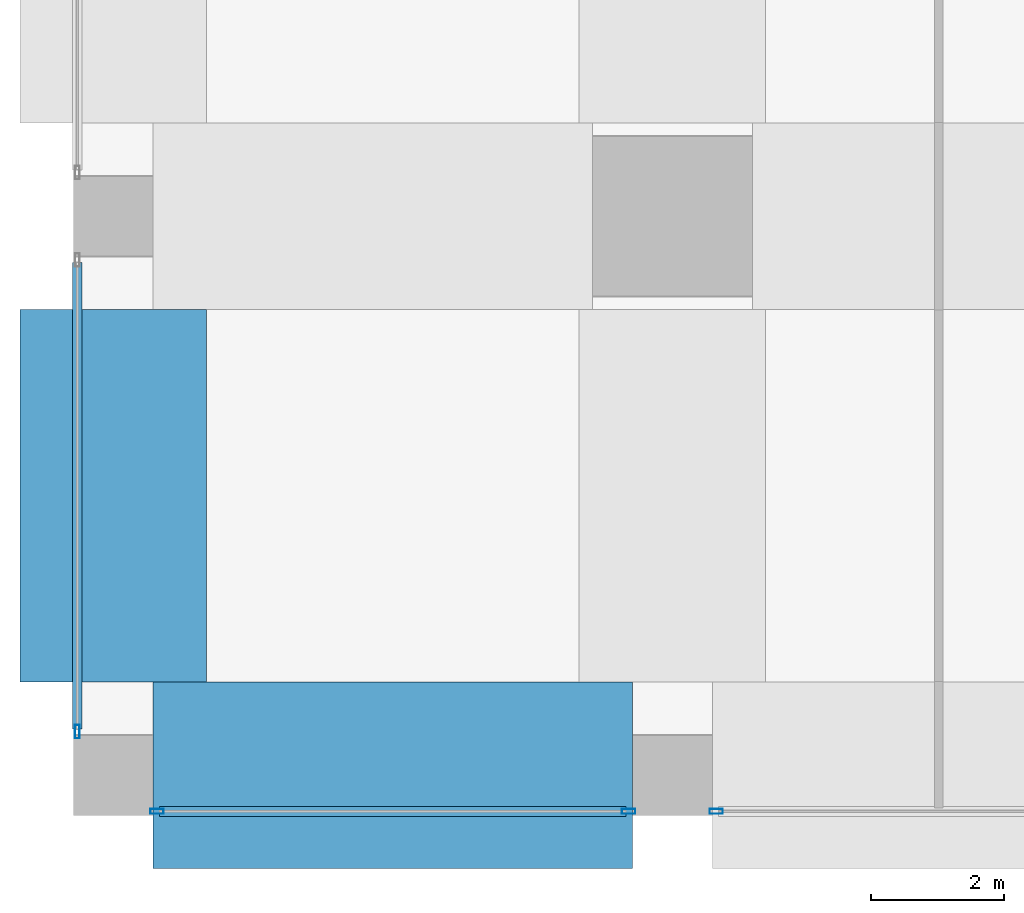
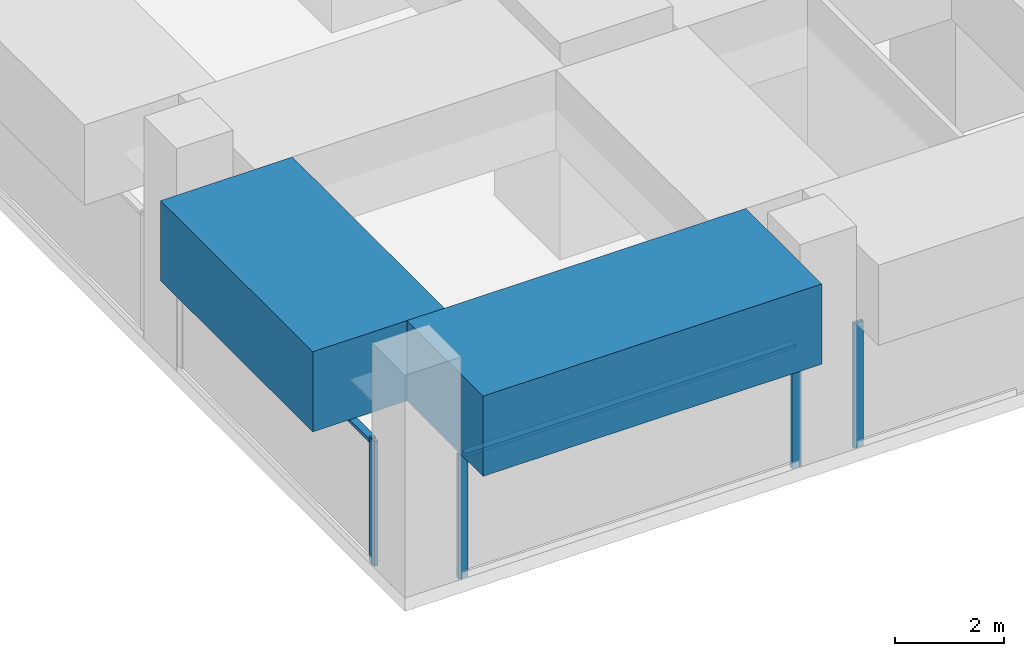
# One storey, part 3 of 52: 6 members, 2 beams, 3 elements without a shape of their own.
"""IFC4 building model written with IfcOpenShell, lengths in metres."""

from ifc_helpers import new_model, si_unit, direction, frame, origin, origin_2d, place, context, subcontext, project, spatial, rectangle, hollow_rectangle, extrude, material, material_profile, profile_set, type_object, element, aggregate, save


model = new_model("IFC4")

# Units and contexts
model_context = context("Model", 3, precision=1e-05, world=origin(), true_north=direction((0.0, 1.0)))
body_context = subcontext(model_context, "Body", "Model", "MODEL_VIEW")
ifc_project = project(units=[si_unit("LENGTHUNIT", "METRE"), si_unit("AREAUNIT", "SQUARE_METRE"), si_unit("VOLUMEUNIT", "CUBIC_METRE"), si_unit("PLANEANGLEUNIT", "RADIAN"), si_unit("MASSUNIT", "GRAM", prefix="KILO")], contexts=[model_context])

# Site, building, storey
site_placement = place(None, origin())
site = spatial("IfcSite", under=ifc_project, at=site_placement, CompositionType="ELEMENT")
building_placement = place(site_placement, origin())
building = spatial("IfcBuilding", under=site, at=building_placement, Name="Rekha Terrace Tower", CompositionType="ELEMENT")
storey_placement = place(building_placement, frame((0.0, 0.0, 20.39990234375)))
storey = spatial("IfcBuildingStorey", under=building, at=storey_placement, Name="L04", CompositionType="ELEMENT", Elevation=20.39990234375)

# Curtain wall, members
ifc_material_1 = material(Name="Aluminium framing", Category="aluminium")
curtain_wall_type = type_object("IfcCurtainWallType", Name="CW4 podium shopfront glazing", PredefinedType="USERDEFINED", material=ifc_material_1)
curtain_wall_1_placement = place(storey_placement, origin())
curtain_wall_1 = element("IfcCurtainWall", 1, at=curtain_wall_1_placement, inside=storey, type_object=curtain_wall_type, Name="CW4 shopfront curtain wall", ObjectType="SHOPFRONT CURTAIN WALL", PredefinedType="USERDEFINED")
ifc_material_2 = material(Name="Aluminium mullion section", Category="aluminium")
ifc_material_profile_1 = material_profile(ifc_material_2, hollow_rectangle(XDim=0.074951171875, YDim=0.199951171875, WallThickness=0.00390625, at=origin_2d()), Name="AL RHS 75x200")
ifc_profile_set_1 = profile_set([ifc_material_profile_1], Name="Aluminium mullion section")
member_type_1 = type_object("IfcMemberType", Name="CW4 mullion RHS 75 x 200", PredefinedType="MULLION", material=ifc_profile_set_1)
member_1_placement = place(storey_placement, frame((0.657470703125, -0.5400390625, 0.0), z_axis=(0.0, 0.0, 1.0), x_axis=(0.0, 1.0, 0.0)))
member_1 = element("IfcMember", 2, at=member_1_placement, type_object=member_type_1, Name="CW4 mullion 1", PredefinedType="MULLION", context=body_context, shape_type="SweptSolid", body=[
    extrude(hollow_rectangle(XDim=0.074951171875, YDim=0.199951171875, WallThickness=0.00390625, at=origin_2d()), origin(), (0.0, 0.0, 1.0), 2.800048828125),
])
member_2_placement = place(storey_placement, frame((7.742431640625, -0.5400390625, 0.0), z_axis=(0.0, 0.0, 1.0), x_axis=(0.0, 1.0, 0.0)))
member_2 = element("IfcMember", 3, at=member_2_placement, type_object=member_type_1, Name="CW4 mullion 2", PredefinedType="MULLION", context=body_context, shape_type="SweptSolid", body=[
    extrude(hollow_rectangle(XDim=0.074951171875, YDim=0.199951171875, WallThickness=0.00390625, at=origin_2d()), origin(), (0.0, 0.0, 1.0), 2.800048828125),
])

# Curtain wall, member
curtain_wall_2_placement = place(storey_placement, origin())
curtain_wall_2 = element("IfcCurtainWall", 4, at=curtain_wall_2_placement, inside=storey, type_object=curtain_wall_type, Name="CW4 shopfront curtain wall", ObjectType="SHOPFRONT CURTAIN WALL", PredefinedType="USERDEFINED")
member_3_placement = place(storey_placement, frame((9.0576171875, -0.5400390625, 0.0), z_axis=(0.0, 0.0, 1.0), x_axis=(0.0, 1.0, 0.0)))
member_3 = element("IfcMember", 5, at=member_3_placement, type_object=member_type_1, Name="CW4 mullion 1", PredefinedType="MULLION", context=body_context, shape_type="SweptSolid", body=[
    extrude(hollow_rectangle(XDim=0.074951171875, YDim=0.199951171875, WallThickness=0.00390625, at=origin_2d()), origin(), (0.0, 0.0, 1.0), 2.800048828125),
])
aggregate(curtain_wall_2, [member_3])

curtain_wall_3_placement = place(storey_placement, origin())
curtain_wall_3 = element("IfcCurtainWall", 6, at=curtain_wall_3_placement, inside=storey, type_object=curtain_wall_type, Name="CW4 shopfront curtain wall", ObjectType="SHOPFRONT CURTAIN WALL", PredefinedType="USERDEFINED")
member_4_placement = place(storey_placement, frame((-0.5400390625, 0.657470703125, 0.0), z_axis=(0.0, 0.0, 1.0), x_axis=(1.0, 0.0, 0.0)))
member_4 = element("IfcMember", 7, at=member_4_placement, type_object=member_type_1, Name="CW4 mullion 2", PredefinedType="MULLION", context=body_context, shape_type="SweptSolid", body=[
    extrude(hollow_rectangle(XDim=0.074951171875, YDim=0.199951171875, WallThickness=0.00390625, at=origin_2d()), origin(), (0.0, 0.0, 1.0), 2.800048828125),
])

# Member
ifc_material_3 = material(Name="Aluminium transom section", Category="aluminium")
ifc_material_profile_2 = material_profile(ifc_material_3, hollow_rectangle(XDim=0.14990234375, YDim=0.074951171875, WallThickness=0.0029296875, at=origin_2d()), Name="AL RHS 150x75")
ifc_profile_set_2 = profile_set([ifc_material_profile_2], Name="Aluminium transom section")
member_type_2 = type_object("IfcMemberType", Name="CW4 transom RHS 75 x 150", PredefinedType="USERDEFINED", material=ifc_profile_set_2)
member_5_placement = place(storey_placement, frame((0.695068359375, -0.5400390625, 2.7626953125), z_axis=(1.0, 0.0, 0.0), x_axis=(0.0, 1.0, 0.0)))
member_5 = element("IfcMember", 8, at=member_5_placement, type_object=member_type_2, Name="CW4 transom 1.2", ObjectType="TRANSOM", PredefinedType="USERDEFINED", context=body_context, shape_type="SweptSolid", body=[
    extrude(hollow_rectangle(XDim=0.14990234375, YDim=0.074951171875, WallThickness=0.0029296875, at=origin_2d()), origin(), (0.0, 0.0, 1.0), 7.010009765625),
])

aggregate(curtain_wall_1, [member_1, member_2, member_5])

member_6_placement = place(storey_placement, frame((-0.5400390625, 7.705078125, 2.7626953125), z_axis=(0.0, -1.0, 0.0), x_axis=(1.0, 0.0, 0.0)))
member_6 = element("IfcMember", 9, at=member_6_placement, type_object=member_type_2, Name="CW4 transom 1.2", ObjectType="TRANSOM", PredefinedType="USERDEFINED", context=body_context, shape_type="SweptSolid", body=[
    extrude(hollow_rectangle(XDim=0.14990234375, YDim=0.074951171875, WallThickness=0.0029296875, at=origin_2d()), origin(), (0.0, 0.0, 1.0), 7.010009765625),
])

aggregate(curtain_wall_3, [member_4, member_6])

# Beams
ifc_material_4 = material(Name="Concrete M70", Category="concrete")
ifc_material_profile_3 = material_profile(ifc_material_4, rectangle(XDim=2.800048828125, YDim=1.800048828125, at=origin_2d()), Name="RC 2800x1800")
ifc_profile_set_3 = profile_set([ifc_material_profile_3], Name="Concrete M70")
beam_type = type_object("IfcBeamType", Name="G2 2800x1800 podium roof band beam", PredefinedType="BEAM", material=ifc_profile_set_3)
beam_1_placement = place(storey_placement, frame((0.60009765625, 0.0, 3.7001953125), z_axis=(1.0, 0.0, 0.0), x_axis=(0.0, 1.0, 0.0)))
element("IfcBeam", 10, at=beam_1_placement, inside=storey, type_object=beam_type, Name="Beam G2 1A-2A under L05", PredefinedType="BEAM", context=body_context, shape_type="SweptSolid", body=[
    extrude(rectangle(XDim=2.800048828125, YDim=1.800048828125, at=origin_2d()), origin(), (0.0, 0.0, 1.0), 7.199951171875),
])
beam_2_placement = place(storey_placement, frame((0.0, 1.39990234375, 3.7001953125), z_axis=(0.0, 1.0, 0.0), x_axis=(-1.0, 0.0, 0.0)))
element("IfcBeam", 11, at=beam_2_placement, inside=storey, type_object=beam_type, Name="Beam G2 1A-1B under L05", PredefinedType="BEAM", context=body_context, shape_type="SweptSolid", body=[
    extrude(rectangle(XDim=2.800048828125, YDim=1.800048828125, at=origin_2d()), origin(), (0.0, 0.0, 1.0), 5.60009765625),
])

save(model, "model.ifc")
